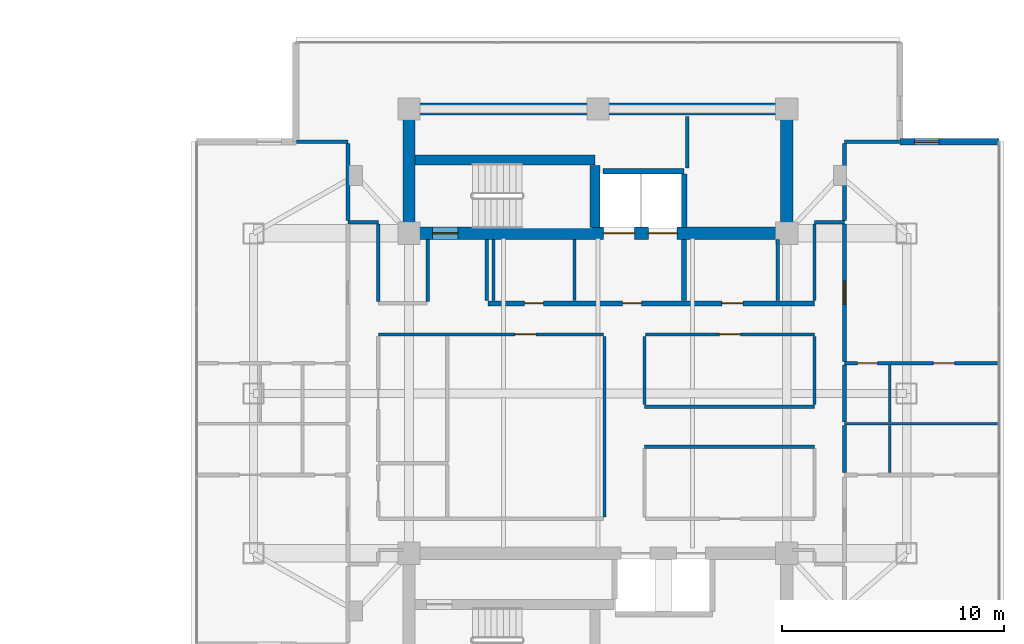
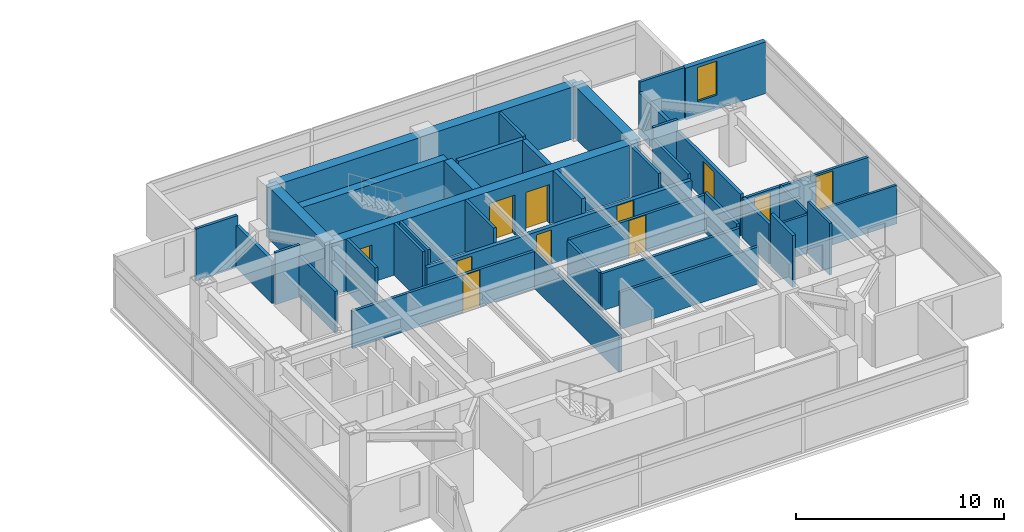
# One storey, part 18 of 25: 39 walls, 11 doors, 1 window, 12 openings.
"""IFC4 building model written with IfcOpenShell, lengths in metres."""

import ifcopenshell
import ifcopenshell.guid

model = None  # the IFC model being written
_history = None  # IfcOwnerHistory: only IFC2X3 demands one
_inside = {}  # id of a spatial element -> (the spatial element, [elements in it])
_under = {}  # id of a project, library or spatial element -> (it, [spatial elements below it])
_declared = {}  # id of a project -> (the project, [libraries it declares])
_typed = {}  # id of a type object -> (the type object, [elements of that type])
_made_of = {}  # id of a material, layer set ... -> (it, [elements and type objects made of it])


def new_model(schema):
    """Start an empty IFC model of exactly this schema.

    Asked for "IFC4X3", IfcOpenShell would pick the latest addendum, in which some entities
    have other attributes; the version numbers below select the first issue.
    IFC2X3 requires an IfcOwnerHistory on every rooted entity: one is made here for all.
    """
    global model, _history
    if schema == "IFC4X3":
        model = ifcopenshell.file(schema_version=(4, 3, 0, 0))
    else:
        model = ifcopenshell.file(schema=schema)
    _inside.clear()
    _under.clear()
    _declared.clear()
    _typed.clear()
    _made_of.clear()
    _history = None
    if model.schema == "IFC2X3":
        org = make("IfcOrganization", Name="unknown")
        user = make(
            "IfcPersonAndOrganization",
            ThePerson=make("IfcPerson", FamilyName="unknown"),
            TheOrganization=org,
        )
        app = make(
            "IfcApplication",
            ApplicationDeveloper=org,
            Version="unknown",
            ApplicationFullName="unknown",
            ApplicationIdentifier="unknown",
        )
        _history = make(
            "IfcOwnerHistory",
            OwningUser=user,
            OwningApplication=app,
            ChangeAction="ADDED",
            CreationDate=0,
        )
    return model


def make(cls, **values):
    """One entity of the class cls with the attributes given. An attribute that is None is left unset."""
    return model.create_entity(
        cls, **{name: value for name, value in values.items() if value is not None}
    )


def rooted(cls, **values):
    """An entity with a GlobalId (a new one), such as an element, a storey or a relation."""
    return make(cls, GlobalId=ifcopenshell.guid.new(), OwnerHistory=_history, **values)


def si_unit(unit_type, name, prefix=None):
    """IfcSIUnit, for example si_unit("LENGTHUNIT", "METRE", prefix="MILLI")."""
    return make("IfcSIUnit", UnitType=unit_type, Prefix=prefix, Name=name)


def assignment(units):
    """IfcUnitAssignment: the units of a project."""
    return None if units is None else make("IfcUnitAssignment", Units=units)


def point(xyz):
    """IfcCartesianPoint."""
    return None if xyz is None else make("IfcCartesianPoint", Coordinates=xyz)


def direction(xyz):
    """IfcDirection."""
    return None if xyz is None else make("IfcDirection", DirectionRatios=xyz)


def frame(location, z_axis=None, x_axis=None):
    """IfcAxis2Placement3D, a coordinate frame: its origin and axes. An axis left out is left unset."""
    return make(
        "IfcAxis2Placement3D",
        Location=point(location),
        Axis=direction(z_axis),
        RefDirection=direction(x_axis),
    )


def frame_2d(location, x_axis=None):
    """IfcAxis2Placement2D, a coordinate frame in the plane: its origin and x axis."""
    return make(
        "IfcAxis2Placement2D", Location=point(location), RefDirection=direction(x_axis)
    )


def origin():
    """The frame at (0, 0, 0) with its axes left unset."""
    return frame((0.0, 0.0, 0.0))


def place(relative_to, where):
    """IfcLocalPlacement: puts the frame where relative to a parent placement (None: the world)."""
    return make(
        "IfcLocalPlacement", PlacementRelTo=relative_to, RelativePlacement=where
    )


def context(
    kind, dimensions, precision=None, world=None, true_north=None, identifier=None
):
    """IfcGeometricRepresentationContext, for example the 3D "Model" context."""
    return make(
        "IfcGeometricRepresentationContext",
        ContextIdentifier=identifier,
        ContextType=kind,
        CoordinateSpaceDimension=dimensions,
        Precision=precision,
        WorldCoordinateSystem=world,
        TrueNorth=true_north,
    )


def subcontext(parent, identifier, kind, view, scale=None):
    """IfcGeometricRepresentationSubContext, for example "Body" below "Model"."""
    return make(
        "IfcGeometricRepresentationSubContext",
        ContextIdentifier=identifier,
        ContextType=kind,
        ParentContext=parent,
        TargetScale=scale,
        TargetView=view,
    )


def project(units=None, contexts=None):
    """IfcProject with its units and contexts."""
    return rooted(
        "IfcProject",
        Name="project",
        RepresentationContexts=contexts,
        UnitsInContext=assignment(units),
    )


def spatial(cls, under=None, at=None, **own):
    """A site, building, storey or space (cls), placed at a placement, below another one or the project."""
    s = rooted(cls, ObjectPlacement=at, **own)
    if under is not None:
        _under.setdefault(under.id(), (under, []))[1].append(s)
    return s


def profile(cls, at=None, kind="AREA", **sizes):
    """A parametric profile (cls). Its sizes go by their IFC names, for example OverallWidth=200.0."""
    return make(cls, ProfileType=kind, Position=at, **sizes)


def rectangle(**sizes):
    """IfcRectangleProfileDef."""
    return profile("IfcRectangleProfileDef", **sizes)


def extrude(swept, where, along, depth):
    """IfcExtrudedAreaSolid: the profile swept, set in the frame where, extruded along a direction by depth."""
    return make(
        "IfcExtrudedAreaSolid",
        SweptArea=swept,
        Position=where,
        ExtrudedDirection=direction(along),
        Depth=depth,
    )


def shape(context_of_items, identifier, shape_type, items):
    """IfcShapeRepresentation: the items that make up one representation, for example the "Body"."""
    return make(
        "IfcShapeRepresentation",
        ContextOfItems=context_of_items,
        RepresentationIdentifier=identifier,
        RepresentationType=shape_type,
        Items=items,
    )


def material(Name=None, Category=None):
    """IfcMaterial."""
    return make("IfcMaterial", Name=Name, Category=Category)


def layer(
    of_material, thickness, ventilated=None, Name=None, Category=None, Priority=None
):
    """IfcMaterialLayer: one layer of a wall or slab, of a material (None: an air gap)."""
    return make(
        "IfcMaterialLayer",
        Material=of_material,
        LayerThickness=thickness,
        IsVentilated=ventilated,
        Name=Name,
        Category=Category,
        Priority=Priority,
    )


def layer_set(layers, Name=None):
    """IfcMaterialLayerSet."""
    return make("IfcMaterialLayerSet", MaterialLayers=layers, LayerSetName=Name)


def made_of(thing, what):
    """Note that an element or type object is made of a material, layer set ...; save() writes the relation."""
    if what is not None:
        _made_of.setdefault(what.id(), (what, []))[1].append(thing)
    return thing


def type_object(cls, material=None, **own):
    """A type object (cls), such as IfcWallType, which elements share."""
    return made_of(rooted(cls, **own), material)


def element(
    cls,
    number,
    at=None,
    inside=None,
    cuts=None,
    type_object=None,
    material=None,
    context=None,
    identifier="Body",
    shape_type=None,
    held_by="IfcProductDefinitionShape",
    body=None,
    shapes=None,
    **own,
):
    """One element of the class cls, such as IfcWall. Its Tag is "e" and its number.

    at: its placement. inside: the storey or other place that contains it. cuts: it is an
    opening in that element (IfcRelVoidsElement). A single representation is given by context,
    identifier, shape_type and body (its items); several are given by shapes. held_by: the class
    of the entity that holds the representations. save() writes the other relations.
    """
    e = rooted(cls, Tag="e%d" % number, ObjectPlacement=at, **own)
    if body is not None:
        shapes = [shape(context, identifier, shape_type, body)]
    if shapes is not None:
        e.Representation = make(held_by, Representations=shapes)
    if inside is not None:
        _inside.setdefault(inside.id(), (inside, []))[1].append(e)
    if cuts is not None:
        rooted(
            "IfcRelVoidsElement", RelatingBuildingElement=cuts, RelatedOpeningElement=e
        )
    if type_object is not None:
        _typed.setdefault(type_object.id(), (type_object, []))[1].append(e)
    return made_of(e, material)


def fill(opening, filler):
    """IfcRelFillsElement: the door or window that sits in an opening."""
    return rooted(
        "IfcRelFillsElement",
        RelatingOpeningElement=opening,
        RelatedBuildingElement=filler,
    )


def aggregate(whole, parts):
    """IfcRelAggregates: a whole, such as a stair, and the parts it consists of."""
    return rooted("IfcRelAggregates", RelatingObject=whole, RelatedObjects=parts)


def save(model, path):
    """Write the relations noted so far, then the file.

    IfcRelAggregates (storeys below a building ...), IfcRelContainedInSpatialStructure (elements
    in a storey), IfcRelDefinesByType, IfcRelAssociatesMaterial and IfcRelDeclares: one each for
    every whole, place, type object, material and project.
    """
    for whole, parts in _under.values():
        aggregate(whole, parts)
    for where, things in _inside.values():
        rooted(
            "IfcRelContainedInSpatialStructure",
            RelatedElements=things,
            RelatingStructure=where,
        )
    for kind, things in _typed.values():
        rooted("IfcRelDefinesByType", RelatedObjects=things, RelatingType=kind)
    for what, things in _made_of.values():
        rooted("IfcRelAssociatesMaterial", RelatedObjects=things, RelatingMaterial=what)
    for by, libraries in _declared.values():
        rooted("IfcRelDeclares", RelatingContext=by, RelatedDefinitions=libraries)
    model.write(path)


model = new_model("IFC4")

# Units and contexts
model_context = context("Model", 3, precision=1e-05, world=origin(), true_north=direction((0.0, 1.0)))
body_context = subcontext(model_context, "Body", "Model", "MODEL_VIEW")
ifc_project = project(units=[si_unit("LENGTHUNIT", "METRE"), si_unit("AREAUNIT", "SQUARE_METRE"), si_unit("VOLUMEUNIT", "CUBIC_METRE"), si_unit("PLANEANGLEUNIT", "RADIAN"), si_unit("MASSUNIT", "GRAM", prefix="KILO")], contexts=[model_context])

# Site, building, storey
site_placement = place(None, origin())
site = spatial("IfcSite", under=ifc_project, at=site_placement, CompositionType="ELEMENT")
building_placement = place(site_placement, origin())
building = spatial("IfcBuilding", under=site, at=building_placement, Name="Mirazonda Arch Towers", CompositionType="ELEMENT")
storey_placement = place(building_placement, frame((0.0, 0.0, 173.89990234375)))
storey = spatial("IfcBuildingStorey", under=building, at=storey_placement, Name="L49", CompositionType="ELEMENT", Elevation=173.89990234375)

# Walls
ifc_material_1 = material(Name="Concrete C50/60", Category="concrete")
ifc_layer_1 = layer(ifc_material_1, 0.449951171875, Name="WALL-CORE-450")
ifc_layer_set_1 = layer_set([ifc_layer_1], Name="Concrete C50/60")
wall_type_1 = type_object("IfcWallType", Name="WALL-CORE-450", PredefinedType="SHEAR", material=ifc_layer_set_1)
wall_1_placement = place(storey_placement, frame((68.27001953125, 38.5, 0.0), z_axis=(0.0, 0.0, 1.0), x_axis=(1.0, 0.0, 0.0)))
element("IfcWall", 1, at=wall_1_placement, inside=storey, type_object=wall_type_1, Name="L49 Stair Core Shear Wall 056", PredefinedType="SHEAR", context=body_context, shape_type="SweptSolid", body=[
    extrude(rectangle(XDim=8.090087890625, YDim=0.449951171875, at=frame_2d((4.044921875, 0.0))), origin(), (0.0, 0.0, 1.0), 3.050048828125),
])
wall_2_placement = place(storey_placement, frame((76.360107421875, 35.469970703125, 0.0), z_axis=(0.0, 0.0, 1.0), x_axis=(0.0, 1.0, 0.0)))
element("IfcWall", 2, at=wall_2_placement, inside=storey, type_object=wall_type_1, Name="L49 Stair Core Shear Wall 155", PredefinedType="SHEAR", context=body_context, shape_type="SweptSolid", body=[
    extrude(rectangle(XDim=2.794921875, YDim=0.449951171875, at=frame_2d((1.3974609375, 0.0))), origin(), (0.0, 0.0, 1.0), 3.050048828125),
])
ifc_layer_2 = layer(ifc_material_1, 0.550048828125, Name="WALL-CORE-550")
ifc_layer_set_2 = layer_set([ifc_layer_2], Name="Concrete C50/60")
wall_type_2 = type_object("IfcWallType", Name="WALL-CORE-550", PredefinedType="SHEAR", material=ifc_layer_set_2)
wall_3_placement = place(storey_placement, frame((68.0, 40.800048828125, 0.0), z_axis=(0.0, 0.0, 1.0), x_axis=(1.0, 0.0, 0.0)))
element("IfcWall", 3, at=wall_3_placement, inside=storey, type_object=wall_type_2, Name="L49 T2N-N Core Shear Wall", PredefinedType="SHEAR", context=body_context, shape_type="SweptSolid", body=[
    extrude(rectangle(XDim=17.0, YDim=0.550048828125, at=frame_2d((8.5, 0.0))), origin(), (0.0, 0.0, 1.0), 3.050048828125),
])
for number, where, z_axis, x_axis, name in (
    (4, (68.0, 35.199951171875, 0.0), (0.0, 0.0, 1.0), (0.0, 1.0, 0.0), "L49 T2N-W Core Shear Wall"),
    (5, (85.0, 35.199951171875, 0.0), (0.0, 0.0, 1.0), (0.0, 1.0, 0.0), "L49 T2N-E Core Shear Wall"),
):
    element("IfcWall", number, at=place(storey_placement, frame(where, z_axis=z_axis, x_axis=x_axis)), inside=storey, type_object=wall_type_2, Name=name, PredefinedType="SHEAR", context=body_context, shape_type="SweptSolid", body=[
        extrude(rectangle(XDim=5.60009765625, YDim=0.550048828125, at=frame_2d((2.800048828125, 0.0))), origin(), (0.0, 0.0, 1.0), 3.050048828125),
    ])

# Wall, openings, doors
wall_4_placement = place(storey_placement, frame((68.0, 35.199951171875, 0.0), z_axis=(0.0, 0.0, 1.0), x_axis=(1.0, 0.0, 0.0)))
wall_4 = element("IfcWall", 6, at=wall_4_placement, inside=storey, type_object=wall_type_2, Name="L49 T2N-S Core Shear Wall", PredefinedType="SHEAR", context=body_context, shape_type="SweptSolid", body=[
    extrude(rectangle(XDim=17.0, YDim=0.550048828125, at=frame_2d((8.5, 0.0))), origin(), (0.0, 0.0, 1.0), 3.050048828125),
])
opening_1_placement = place(wall_4_placement, frame((1.06005859375, 0.0, 0.0)))
opening_1 = element("IfcOpeningElement", 7, at=opening_1_placement, cuts=wall_4, Name="Opening DR-135", PredefinedType="OPENING", context=body_context, shape_type="SweptSolid", body=[
    extrude(rectangle(XDim=1.14990234375, YDim=2.199951171875, at=frame_2d((0.574951171875, 1.10009765625))), frame((0.0, 0.284912109375, 0.0), z_axis=(0.0, -1.0, 0.0), x_axis=(1.0, 0.0, 0.0)), (0.0, 0.0, 1.0), 0.570068359375),
])
opening_2_placement = place(wall_4_placement, frame((8.75, 0.0, 0.0)))
opening_2 = element("IfcOpeningElement", 8, at=opening_2_placement, cuts=wall_4, Name="Opening LD-112", PredefinedType="OPENING", context=body_context, shape_type="SweptSolid", body=[
    extrude(rectangle(XDim=1.39990234375, YDim=2.35009765625, at=frame_2d((0.699951171875, 1.175048828125))), frame((0.0, 0.284912109375, 0.0), z_axis=(0.0, -1.0, 0.0), x_axis=(1.0, 0.0, 0.0)), (0.0, 0.0, 1.0), 0.570068359375),
])
opening_3_placement = place(wall_4_placement, frame((10.77001953125, 0.0, 0.0)))
opening_3 = element("IfcOpeningElement", 9, at=opening_3_placement, cuts=wall_4, Name="Opening LD-111", PredefinedType="OPENING", context=body_context, shape_type="SweptSolid", body=[
    extrude(rectangle(XDim=1.300048828125, YDim=2.300048828125, at=frame_2d((0.64990234375, 1.14990234375))), frame((0.0, 0.284912109375, 0.0), z_axis=(0.0, -1.0, 0.0), x_axis=(1.0, 0.0, 0.0)), (0.0, 0.0, 1.0), 0.570068359375),
])
ifc_material_2 = material(Name="Architectural Brushed Steel S355", Category="steel")
door_type_1 = type_object("IfcDoorType", Name="DOOR-LIFT-FFL-1400", OperationType="NOTDEFINED", PredefinedType="DOOR", material=ifc_material_2)
door_1_placement = place(opening_2_placement, origin())
door_1 = element("IfcDoor", 10, at=door_1_placement, inside=storey, type_object=door_type_1, Name="L49 Lift Landing Sliding Door FFL-T2", OperationType="DOUBLE_DOOR_SLIDING", OverallHeight=2.35009765625, OverallWidth=1.39990234375, PredefinedType="DOOR", context=body_context, shape_type="SweptSolid", body=[
    extrude(rectangle(XDim=1.39990234375, YDim=2.35009765625, at=frame_2d((0.699951171875, 1.175048828125))), frame((0.0, 0.02490234375, 0.0), z_axis=(0.0, -1.0, 0.0), x_axis=(1.0, 0.0, 0.0)), (0.0, 0.0, 1.0), 0.050048828125),
])
fill(opening_2, door_1)
door_type_2 = type_object("IfcDoorType", Name="DOOR-LIFT-LAND-1300", OperationType="NOTDEFINED", PredefinedType="DOOR", material=ifc_material_2)
door_2_placement = place(opening_3_placement, origin())
door_2 = element("IfcDoor", 11, at=door_2_placement, inside=storey, type_object=door_type_2, Name="L49 Lift Landing Sliding Door SVL-T2", OperationType="DOUBLE_DOOR_SLIDING", OverallHeight=2.300048828125, OverallWidth=1.300048828125, PredefinedType="DOOR", context=body_context, shape_type="SweptSolid", body=[
    extrude(rectangle(XDim=1.300048828125, YDim=2.300048828125, at=frame_2d((0.64990234375, 1.14990234375))), frame((0.0, 0.02490234375, 0.0), z_axis=(0.0, -1.0, 0.0), x_axis=(1.0, 0.0, 0.0)), (0.0, 0.0, 1.0), 0.050048828125),
])
fill(opening_3, door_2)
door_type_3 = type_object("IfcDoorType", Name="DOOR-STAIR-FD90-1150", OperationType="NOTDEFINED", PredefinedType="DOOR", material=ifc_material_2)
door_3_placement = place(opening_1_placement, origin())
door_3 = element("IfcDoor", 12, at=door_3_placement, inside=storey, type_object=door_type_3, Name="L49 East Protected Stair North Door", OperationType="SINGLE_SWING_RIGHT", OverallHeight=2.199951171875, OverallWidth=1.14990234375, PredefinedType="DOOR", context=body_context, shape_type="SweptSolid", body=[
    extrude(rectangle(XDim=1.14990234375, YDim=2.199951171875, at=frame_2d((0.574951171875, 1.10009765625))), frame((0.0, 0.02490234375, 0.0), z_axis=(0.0, -1.0, 0.0), x_axis=(1.0, 0.0, 0.0)), (0.0, 0.0, 1.0), 0.050048828125),
])
fill(opening_1, door_3)

# Wall, opening, window
ifc_material_3 = material(Name="Precast Concrete C40/50", Category="concrete")
ifc_layer_3 = layer(ifc_material_3, 0.280029296875, Name="WALL-EXT-WALL-280")
ifc_layer_set_3 = layer_set([ifc_layer_3], Name="Precast Concrete C40/50")
wall_type_3 = type_object("IfcWallType", Name="WALL-EXT-WALL-280", PredefinedType="SOLIDWALL", material=ifc_layer_set_3)
wall_5_placement = place(storey_placement, frame((94.560546875, 39.326171875, 0.0), z_axis=(0.0, 0.0, 1.0), x_axis=(-1.0, 0.0, 0.0)))
wall_5 = element("IfcWall", 13, at=wall_5_placement, inside=storey, type_object=wall_type_3, Name="L49 T2 Corner Notch Return Wall WL-L49-T2-CNE2", PredefinedType="SOLIDWALL", context=body_context, shape_type="SweptSolid", body=[
    extrude(rectangle(XDim=4.46533203125, YDim=0.280029296875, at=frame_2d((2.232666015625, 0.0))), origin(), (0.0, 0.0, 1.0), 3.030029296875),
])
opening_4_placement = place(wall_5_placement, frame((2.715087890625, 0.0, 0.85009765625)))
opening_4 = element("IfcOpeningElement", 14, at=opening_4_placement, cuts=wall_5, Name="Opening WN-108", PredefinedType="OPENING", context=body_context, shape_type="SweptSolid", body=[
    extrude(rectangle(XDim=1.10009765625, YDim=2.0, at=frame_2d((0.550048828125, 1.0))), frame((0.0, 0.14990234375, 0.0), z_axis=(0.0, -1.0, 0.0), x_axis=(1.0, 0.0, 0.0)), (0.0, 0.0, 1.0), 0.300048828125),
])
ifc_material_4 = material(Name="Insulated Low-E Solar Glass", Category="glass")
window_type = type_object("IfcWindowType", Name="WIN-NOTCH-1100x2000", PartitioningType="SINGLE_PANEL", PredefinedType="WINDOW", material=ifc_material_4)
window_placement = place(opening_4_placement, origin())
window = element("IfcWindow", 15, at=window_placement, inside=storey, type_object=window_type, Name="L49 Punched Facade Window WN-L49-T2-CNE2", OverallHeight=2.0, OverallWidth=1.10009765625, PartitioningType="SINGLE_PANEL", PredefinedType="WINDOW", context=body_context, shape_type="SweptSolid", body=[
    extrude(rectangle(XDim=1.10009765625, YDim=2.0, at=frame_2d((0.550048828125, 1.0))), frame((0.0, 0.030029296875, 0.0), z_axis=(0.0, -1.0, 0.0), x_axis=(1.0, 0.0, 0.0)), (0.0, 0.0, 1.0), 0.06005859375),
])
fill(opening_4, window)

# Wall, openings, doors
ifc_material_5 = material(Name="Concrete C40/50", Category="concrete")
ifc_layer_4 = layer(ifc_material_5, 0.219970703125, Name="WALL-FFL-220")
ifc_layer_set_4 = layer_set([ifc_layer_4], Name="Concrete C40/50")
wall_type_4 = type_object("IfcWallType", Name="WALL-FFL-220", PredefinedType="SOLIDWALL", material=ifc_layer_set_4)
wall_6_placement = place(storey_placement, frame((71.550048828125, 32.050048828125, 0.0), z_axis=(0.0, 0.0, 1.0), x_axis=(1.0, 0.0, 0.0)))
wall_6 = element("IfcWall", 16, at=wall_6_placement, inside=storey, type_object=wall_type_4, Name="L49 Interior Partition 045", PredefinedType="SOLIDWALL", context=body_context, shape_type="SweptSolid", body=[
    extrude(rectangle(XDim=14.699951171875, YDim=0.219970703125, at=frame_2d((7.35009765625, 0.0))), origin(), (0.0, 0.0, 1.0), 2.18603515625),
])
opening_5_placement = place(wall_6_placement, frame((6.06494140625, 0.0, 0.0)))
opening_5 = element("IfcOpeningElement", 17, at=opening_5_placement, cuts=wall_6, Name="Opening DR-128", PredefinedType="OPENING", context=body_context, shape_type="SweptSolid", body=[
    extrude(rectangle(XDim=0.85009765625, YDim=2.010009765625, at=frame_2d((0.425048828125, 1.0048828125))), frame((0.0, 0.119873046875, 0.0), z_axis=(0.0, -1.0, 0.0), x_axis=(1.0, 0.0, 0.0)), (0.0, 0.0, 1.0), 0.239990234375),
])
opening_6_placement = place(wall_6_placement, frame((10.534912109375, 0.0, 0.0)))
opening_6 = element("IfcOpeningElement", 18, at=opening_6_placement, cuts=wall_6, Name="Opening DR-104", PredefinedType="OPENING", context=body_context, shape_type="SweptSolid", body=[
    extrude(rectangle(XDim=0.949951171875, YDim=2.14990234375, at=frame_2d((0.47509765625, 1.074951171875))), frame((0.0, 0.119873046875, 0.0), z_axis=(0.0, -1.0, 0.0), x_axis=(1.0, 0.0, 0.0)), (0.0, 0.0, 1.0), 0.239990234375),
])
opening_7_placement = place(wall_6_placement, frame((1.64990234375, 0.0, 0.0)))
opening_7 = element("IfcOpeningElement", 19, at=opening_7_placement, cuts=wall_6, Name="Opening DR-128", PredefinedType="OPENING", context=body_context, shape_type="SweptSolid", body=[
    extrude(rectangle(XDim=0.85009765625, YDim=2.010009765625, at=frame_2d((0.425048828125, 1.0048828125))), frame((0.0, 0.119873046875, 0.0), z_axis=(0.0, -1.0, 0.0), x_axis=(1.0, 0.0, 0.0)), (0.0, 0.0, 1.0), 0.239990234375),
])
door_type_4 = type_object("IfcDoorType", Name="DOOR-RISER-FD60-850", OperationType="NOTDEFINED", PredefinedType="DOOR", material=ifc_material_2)
door_4_placement = place(opening_5_placement, origin())
door_4 = element("IfcDoor", 20, at=door_4_placement, inside=storey, type_object=door_type_4, Name="L49 East Firefighting Lift Lobby Door", OperationType="SINGLE_SWING_LEFT", OverallHeight=2.010009765625, OverallWidth=0.85009765625, PredefinedType="DOOR", context=body_context, shape_type="SweptSolid", body=[
    extrude(rectangle(XDim=0.85009765625, YDim=2.010009765625, at=frame_2d((0.425048828125, 1.0048828125))), frame((0.0, 0.02490234375, 0.0), z_axis=(0.0, -1.0, 0.0), x_axis=(1.0, 0.0, 0.0)), (0.0, 0.0, 1.0), 0.050048828125),
])
fill(opening_5, door_4)
door_5_placement = place(opening_7_placement, origin())
door_5 = element("IfcDoor", 21, at=door_5_placement, inside=storey, type_object=door_type_4, Name="L49 Tower 2 Housekeeping & Linen Room Door", OperationType="SINGLE_SWING_LEFT", OverallHeight=2.010009765625, OverallWidth=0.85009765625, PredefinedType="DOOR", context=body_context, shape_type="SweptSolid", body=[
    extrude(rectangle(XDim=0.85009765625, YDim=2.010009765625, at=frame_2d((0.425048828125, 1.0048828125))), frame((0.0, 0.02490234375, 0.0), z_axis=(0.0, -1.0, 0.0), x_axis=(1.0, 0.0, 0.0)), (0.0, 0.0, 1.0), 0.050048828125),
])
fill(opening_7, door_5)
door_type_5 = type_object("IfcDoorType", Name="DOOR-ROOM-950", OperationType="NOTDEFINED", PredefinedType="DOOR", material=ifc_material_2)
door_6_placement = place(opening_6_placement, origin())
door_6 = element("IfcDoor", 22, at=door_6_placement, inside=storey, type_object=door_type_5, Name="L49 East Sky Reading Library Door", OperationType="SINGLE_SWING_RIGHT", OverallHeight=2.14990234375, OverallWidth=0.949951171875, PredefinedType="DOOR", context=body_context, shape_type="SweptSolid", body=[
    extrude(rectangle(XDim=0.949951171875, YDim=2.14990234375, at=frame_2d((0.47509765625, 1.074951171875))), frame((0.0, 0.02490234375, 0.0), z_axis=(0.0, -1.0, 0.0), x_axis=(1.0, 0.0, 0.0)), (0.0, 0.0, 1.0), 0.050048828125),
])
fill(opening_6, door_6)

# Walls
wall_7_placement = place(storey_placement, frame((80.3798828125, 32.169921875, 0.0), z_axis=(0.0, 0.0, 1.0), x_axis=(0.0, 1.0, 0.0)))
element("IfcWall", 23, at=wall_7_placement, inside=storey, type_object=wall_type_4, Name="L49 Interior Partition 160", PredefinedType="SOLIDWALL", context=body_context, shape_type="SweptSolid", body=[
    extrude(rectangle(XDim=2.760009765625, YDim=0.219970703125, at=frame_2d((1.3798828125, 0.0))), origin(), (0.0, 0.0, 1.0), 3.050048828125),
])
ifc_material_6 = material(Name="Fire-Rated Gypsum Stud Partition")
ifc_layer_5 = layer(ifc_material_6, 0.14990234375, Name="WALL-PART-CORR-150")
ifc_layer_set_5 = layer_set([ifc_layer_5], Name="Fire-Rated Gypsum Stud Partition")
wall_type_5 = type_object("IfcWallType", Name="WALL-PART-CORR-150", PredefinedType="PARTITIONING", material=ifc_layer_set_5)
for number, where, z_axis, x_axis, name in (
    (24, (78.60009765625, 25.60009765625, 0.0), (0.0, 0.0, 1.0), (1.0, 0.0, 0.0), "L49 Interior Partition 031"),
    (25, (78.60009765625, 27.39990234375, 0.0), (0.0, 0.0, 1.0), (1.0, 0.0, 0.0), "L49 Interior Partition 035"),
):
    element("IfcWall", number, at=place(storey_placement, frame(where, z_axis=z_axis, x_axis=x_axis)), inside=storey, type_object=wall_type_5, Name=name, PredefinedType="PARTITIONING", context=body_context, shape_type="SweptSolid", body=[
        extrude(rectangle(XDim=7.64990234375, YDim=0.14990234375, at=frame_2d((3.824951171875, 0.0))), origin(), (0.0, 0.0, 1.0), 2.18603515625),
    ])

# Wall, openings, doors
wall_8_placement = place(storey_placement, frame((87.60009765625, 29.35205078125, 0.0), z_axis=(0.0, 0.0, 1.0), x_axis=(1.0, 0.0, 0.0)))
wall_8 = element("IfcWall", 26, at=wall_8_placement, inside=storey, type_object=wall_type_5, Name="L49 Interior Partition 039", PredefinedType="PARTITIONING", context=body_context, shape_type="SweptSolid", body=[
    extrude(rectangle(XDim=6.9609375, YDim=0.14990234375, at=frame_2d((3.48046875, 0.0))), origin(), (0.0, 0.0, 1.0), 2.26904296875),
])
opening_8_placement = place(wall_8_placement, frame((4.005615234375, 0.0, 0.0)))
opening_8 = element("IfcOpeningElement", 27, at=opening_8_placement, cuts=wall_8, Name="Opening DR-104", PredefinedType="OPENING", context=body_context, shape_type="SweptSolid", body=[
    extrude(rectangle(XDim=0.949951171875, YDim=2.14990234375, at=frame_2d((0.47509765625, 1.074951171875))), frame((0.0, 0.0849609375, 0.0), z_axis=(0.0, -1.0, 0.0), x_axis=(1.0, 0.0, 0.0)), (0.0, 0.0, 1.0), 0.169921875),
])
opening_9_placement = place(wall_8_placement, frame((0.590087890625, 0.0, 0.0)))
opening_9 = element("IfcOpeningElement", 28, at=opening_9_placement, cuts=wall_8, Name="Opening DR-120", PredefinedType="OPENING", context=body_context, shape_type="SweptSolid", body=[
    extrude(rectangle(XDim=0.89990234375, YDim=2.10009765625, at=frame_2d((0.449951171875, 1.050048828125))), frame((0.0, 0.0849609375, 0.0), z_axis=(0.0, -1.0, 0.0), x_axis=(1.0, 0.0, 0.0)), (0.0, 0.0, 1.0), 0.169921875),
])
door_7_placement = place(opening_8_placement, origin())
door_7 = element("IfcDoor", 29, at=door_7_placement, inside=storey, type_object=door_type_5, Name="L49 Studio 2 Galley Kitchen Door", OperationType="SINGLE_SWING_LEFT", OverallHeight=2.14990234375, OverallWidth=0.949951171875, PredefinedType="DOOR", context=body_context, shape_type="SweptSolid", body=[
    extrude(rectangle(XDim=0.949951171875, YDim=2.14990234375, at=frame_2d((0.47509765625, 1.074951171875))), frame((0.0, 0.02490234375, 0.0), z_axis=(0.0, -1.0, 0.0), x_axis=(1.0, 0.0, 0.0)), (0.0, 0.0, 1.0), 0.050048828125),
])
fill(opening_8, door_7)
door_type_6 = type_object("IfcDoorType", Name="DOOR-WC-900", OperationType="NOTDEFINED", PredefinedType="DOOR", material=ifc_material_2)
door_8_placement = place(opening_9_placement, origin())
door_8 = element("IfcDoor", 30, at=door_8_placement, inside=storey, type_object=door_type_6, Name="L49 Studio 2 Bathroom Door", OperationType="SINGLE_SWING_RIGHT", OverallHeight=2.10009765625, OverallWidth=0.89990234375, PredefinedType="DOOR", context=body_context, shape_type="SweptSolid", body=[
    extrude(rectangle(XDim=0.89990234375, YDim=2.10009765625, at=frame_2d((0.449951171875, 1.050048828125))), frame((0.0, 0.02490234375, 0.0), z_axis=(0.0, -1.0, 0.0), x_axis=(1.0, 0.0, 0.0)), (0.0, 0.0, 1.0), 0.050048828125),
])
fill(opening_9, door_8)

# Wall, opening, door
wall_9_placement = place(storey_placement, frame((66.6201171875, 30.64990234375, 0.0), z_axis=(0.0, 0.0, 1.0), x_axis=(1.0, 0.0, 0.0)))
wall_9 = element("IfcWall", 31, at=wall_9_placement, inside=storey, type_object=wall_type_5, Name="L49 Interior Partition 042", PredefinedType="PARTITIONING", context=body_context, shape_type="SweptSolid", body=[
    extrude(rectangle(XDim=10.139892578125, YDim=0.14990234375, at=frame_2d((5.06982421875, 0.0))), origin(), (0.0, 0.0, 1.0), 2.18603515625),
])
opening_10_placement = place(wall_9_placement, frame((6.139892578125, 0.0, 0.0)))
opening_10 = element("IfcOpeningElement", 32, at=opening_10_placement, cuts=wall_9, Name="Opening DR-104", PredefinedType="OPENING", context=body_context, shape_type="SweptSolid", body=[
    extrude(rectangle(XDim=0.949951171875, YDim=2.14990234375, at=frame_2d((0.47509765625, 1.074951171875))), frame((0.0, 0.0849609375, 0.0), z_axis=(0.0, -1.0, 0.0), x_axis=(1.0, 0.0, 0.0)), (0.0, 0.0, 1.0), 0.169921875),
])
door_9_placement = place(opening_10_placement, origin())
door_9 = element("IfcDoor", 33, at=door_9_placement, inside=storey, type_object=door_type_5, Name="L49 L49 East Courtyard Study Door", OperationType="SINGLE_SWING_RIGHT", OverallHeight=2.14990234375, OverallWidth=0.949951171875, PredefinedType="DOOR", context=body_context, shape_type="SweptSolid", body=[
    extrude(rectangle(XDim=0.949951171875, YDim=2.14990234375, at=frame_2d((0.47509765625, 1.074951171875))), frame((0.0, 0.02490234375, 0.0), z_axis=(0.0, -1.0, 0.0), x_axis=(1.0, 0.0, 0.0)), (0.0, 0.0, 1.0), 0.050048828125),
])
fill(opening_10, door_9)

wall_10_placement = place(storey_placement, frame((78.639892578125, 30.64990234375, 0.0), z_axis=(0.0, 0.0, 1.0), x_axis=(1.0, 0.0, 0.0)))
wall_10 = element("IfcWall", 34, at=wall_10_placement, inside=storey, type_object=wall_type_5, Name="L49 Interior Partition 043", PredefinedType="PARTITIONING", context=body_context, shape_type="SweptSolid", body=[
    extrude(rectangle(XDim=7.610107421875, YDim=0.14990234375, at=frame_2d((3.80517578125, 0.0))), origin(), (0.0, 0.0, 1.0), 2.18603515625),
])
opening_11_placement = place(wall_10_placement, frame((3.330078125, 0.0, 0.0)))
opening_11 = element("IfcOpeningElement", 35, at=opening_11_placement, cuts=wall_10, Name="Opening DR-104", PredefinedType="OPENING", context=body_context, shape_type="SweptSolid", body=[
    extrude(rectangle(XDim=0.949951171875, YDim=2.14990234375, at=frame_2d((0.47509765625, 1.074951171875))), frame((0.0, 0.0849609375, 0.0), z_axis=(0.0, -1.0, 0.0), x_axis=(1.0, 0.0, 0.0)), (0.0, 0.0, 1.0), 0.169921875),
])
door_10_placement = place(opening_11_placement, origin())
door_10 = element("IfcDoor", 36, at=door_10_placement, inside=storey, type_object=door_type_5, Name="L49 L49 Tower 2 North-East Study Door", OperationType="SINGLE_SWING_RIGHT", OverallHeight=2.14990234375, OverallWidth=0.949951171875, PredefinedType="DOOR", context=body_context, shape_type="SweptSolid", body=[
    extrude(rectangle(XDim=0.949951171875, YDim=2.14990234375, at=frame_2d((0.47509765625, 1.074951171875))), frame((0.0, 0.02490234375, 0.0), z_axis=(0.0, -1.0, 0.0), x_axis=(1.0, 0.0, 0.0)), (0.0, 0.0, 1.0), 0.050048828125),
])
fill(opening_11, door_10)

# Walls
wall_11_placement = place(storey_placement, frame((65.25, 35.699951171875, 0.0), z_axis=(0.0, 0.0, 1.0), x_axis=(1.0, 0.0, 0.0)))
element("IfcWall", 37, at=wall_11_placement, inside=storey, type_object=wall_type_5, Name="L49 Interior Partition 051", PredefinedType="PARTITIONING", context=body_context, shape_type="SweptSolid", body=[
    extrude(rectangle(XDim=1.3701171875, YDim=0.14990234375, at=frame_2d((0.68505859375, 0.0))), origin(), (0.0, 0.0, 1.0), 3.050048828125),
])
wall_12_placement = place(storey_placement, frame((86.25, 35.699951171875, 0.0), z_axis=(0.0, 0.0, 1.0), x_axis=(1.0, 0.0, 0.0)))
element("IfcWall", 38, at=wall_12_placement, inside=storey, type_object=wall_type_5, Name="L49 Interior Partition 052", PredefinedType="PARTITIONING", context=body_context, shape_type="SweptSolid", body=[
    extrude(rectangle(XDim=1.35009765625, YDim=0.14990234375, at=frame_2d((0.675048828125, 0.0))), origin(), (0.0, 0.0, 1.0), 3.050048828125),
])
wall_13_placement = place(storey_placement, frame((62.9248046875, 39.325927734375, 0.0), z_axis=(0.0, 0.0, 1.0), x_axis=(1.0, 0.0, 0.0)))
element("IfcWall", 39, at=wall_13_placement, inside=storey, type_object=wall_type_5, Name="L49 Interior Partition 057", PredefinedType="PARTITIONING", context=body_context, shape_type="SweptSolid", body=[
    extrude(rectangle(XDim=2.3251953125, YDim=0.14990234375, at=frame_2d((1.16259765625, 0.0))), origin(), (0.0, 0.0, 1.0), 3.050048828125),
])
wall_14_placement = place(storey_placement, frame((87.60009765625, 39.325927734375, 0.0), z_axis=(0.0, 0.0, 1.0), x_axis=(1.0, 0.0, 0.0)))
element("IfcWall", 40, at=wall_14_placement, inside=storey, type_object=wall_type_5, Name="L49 Interior Partition 058", PredefinedType="PARTITIONING", context=body_context, shape_type="SweptSolid", body=[
    extrude(rectangle(XDim=2.47509765625, YDim=0.14990234375, at=frame_2d((1.237548828125, 0.0))), origin(), (0.0, 0.0, 1.0), 3.050048828125),
])
wall_15_placement = place(storey_placement, frame((66.6201171875, 32.135009765625, 0.0), z_axis=(0.0, 0.0, 1.0), x_axis=(0.0, 1.0, 0.0)))
element("IfcWall", 41, at=wall_15_placement, inside=storey, type_object=wall_type_5, Name="L49 Interior Partition 147", PredefinedType="PARTITIONING", context=body_context, shape_type="SweptSolid", body=[
    extrude(rectangle(XDim=3.47998046875, YDim=0.14990234375, at=frame_2d((1.739990234375, 0.0))), origin(), (0.0, 0.0, 1.0), 2.442138671875),
])
wall_16_placement = place(storey_placement, frame((68.85009765625, 32.135009765625, 0.0), z_axis=(0.0, 0.0, 1.0), x_axis=(0.0, 1.0, 0.0)))
element("IfcWall", 42, at=wall_16_placement, inside=storey, type_object=wall_type_5, Name="L49 Interior Partition 148", PredefinedType="PARTITIONING", context=body_context, shape_type="SweptSolid", body=[
    extrude(rectangle(XDim=2.794921875, YDim=0.14990234375, at=frame_2d((1.3974609375, 0.0))), origin(), (0.0, 0.0, 1.0), 3.050048828125),
])
for number, where, z_axis, x_axis, name in (
    (43, (71.5, 32.169921875, 0.0), (0.0, 0.0, 1.0), (0.0, 1.0, 0.0), "L49 Interior Partition 151"),
    (44, (71.800048828125, 32.169921875, 0.0), (0.0, 0.0, 1.0), (0.0, 1.0, 0.0), "L49 Interior Partition 152"),
    (45, (75.449951171875, 32.169921875, 0.0), (0.0, 0.0, 1.0), (0.0, 1.0, 0.0), "L49 Interior Partition 153"),
):
    element("IfcWall", number, at=place(storey_placement, frame(where, z_axis=z_axis, x_axis=x_axis)), inside=storey, type_object=wall_type_5, Name=name, PredefinedType="PARTITIONING", context=body_context, shape_type="SweptSolid", body=[
        extrude(rectangle(XDim=2.760009765625, YDim=0.14990234375, at=frame_2d((1.3798828125, 0.0))), origin(), (0.0, 0.0, 1.0), 3.050048828125),
    ])
wall_17_placement = place(storey_placement, frame((76.800048828125, 22.43505859375, 0.0), z_axis=(0.0, 0.0, 1.0), x_axis=(0.0, 1.0, 0.0)))
element("IfcWall", 46, at=wall_17_placement, inside=storey, type_object=wall_type_5, Name="L49 Interior Partition 156", PredefinedType="PARTITIONING", context=body_context, shape_type="SweptSolid", body=[
    extrude(rectangle(XDim=8.1298828125, YDim=0.14990234375, at=frame_2d((4.06494140625, 0.0))), origin(), (0.0, 0.0, 1.0), 2.18603515625),
])
wall_18_placement = place(storey_placement, frame((78.60009765625, 27.485107421875, 0.0), z_axis=(0.0, 0.0, 1.0), x_axis=(0.0, 1.0, 0.0)))
element("IfcWall", 47, at=wall_18_placement, inside=storey, type_object=wall_type_5, Name="L49 Interior Partition 159", PredefinedType="PARTITIONING", context=body_context, shape_type="SweptSolid", body=[
    extrude(rectangle(XDim=3.079833984375, YDim=0.14990234375, at=frame_2d((1.5400390625, 0.0))), origin(), (0.0, 0.0, 1.0), 2.18603515625),
])
wall_19_placement = place(storey_placement, frame((80.52001953125, 38.135009765625, 0.0), z_axis=(0.0, 0.0, 1.0), x_axis=(0.0, 1.0, 0.0)))
element("IfcWall", 48, at=wall_19_placement, inside=storey, type_object=wall_type_5, Name="L49 Interior Partition 162", PredefinedType="PARTITIONING", context=body_context, shape_type="SweptSolid", body=[
    extrude(rectangle(XDim=2.31494140625, YDim=0.14990234375, at=frame_2d((1.157470703125, 0.0))), origin(), (0.0, 0.0, 1.0), 3.050048828125),
])
wall_20_placement = place(storey_placement, frame((84.60009765625, 32.169921875, 0.0), z_axis=(0.0, 0.0, 1.0), x_axis=(0.0, 1.0, 0.0)))
element("IfcWall", 49, at=wall_20_placement, inside=storey, type_object=wall_type_5, Name="L49 Interior Partition 164", PredefinedType="PARTITIONING", context=body_context, shape_type="SweptSolid", body=[
    extrude(rectangle(XDim=2.760009765625, YDim=0.14990234375, at=frame_2d((1.3798828125, 0.0))), origin(), (0.0, 0.0, 1.0), 3.050048828125),
])
wall_21_placement = place(storey_placement, frame((86.25, 27.485107421875, 0.0), z_axis=(0.0, 0.0, 1.0), x_axis=(0.0, 1.0, 0.0)))
element("IfcWall", 50, at=wall_21_placement, inside=storey, type_object=wall_type_5, Name="L49 Interior Partition 167", PredefinedType="PARTITIONING", context=body_context, shape_type="SweptSolid", body=[
    extrude(rectangle(XDim=3.079833984375, YDim=0.14990234375, at=frame_2d((1.5400390625, 0.0))), origin(), (0.0, 0.0, 1.0), 2.34619140625),
])
wall_22_placement = place(storey_placement, frame((86.25, 32.169921875, 0.0), z_axis=(0.0, 0.0, 1.0), x_axis=(0.0, 1.0, 0.0)))
element("IfcWall", 51, at=wall_22_placement, inside=storey, type_object=wall_type_5, Name="L49 Interior Partition 168", PredefinedType="PARTITIONING", context=body_context, shape_type="SweptSolid", body=[
    extrude(rectangle(XDim=3.445068359375, YDim=0.14990234375, at=frame_2d((1.72265625, 0.0))), origin(), (0.0, 0.0, 1.0), 2.442138671875),
])
ifc_material_7 = material(Name="Fire-Rated Gypsum Twin-Stud Assembly")
ifc_layer_6 = layer(ifc_material_7, 0.179931640625, Name="WALL-PART-DEMISE-180")
ifc_layer_set_6 = layer_set([ifc_layer_6], Name="Fire-Rated Gypsum Twin-Stud Assembly")
wall_type_6 = type_object("IfcWallType", Name="WALL-PART-DEMISE-180", PredefinedType="PARTITIONING", material=ifc_layer_set_6)
wall_23_placement = place(storey_placement, frame((65.25, 35.784912109375, 0.0), z_axis=(0.0, 0.0, 1.0), x_axis=(0.0, 1.0, 0.0)))
element("IfcWall", 52, at=wall_23_placement, inside=storey, type_object=wall_type_6, Name="L49 Interior Partition 143", PredefinedType="PARTITIONING", context=body_context, shape_type="SweptSolid", body=[
    extrude(rectangle(XDim=3.4560546875, YDim=0.179931640625, at=frame_2d((1.72802734375, 0.0))), origin(), (0.0, 0.0, 1.0), 2.4931640625),
])
wall_24_placement = place(storey_placement, frame((87.60009765625, 24.431884765625, 0.0), z_axis=(0.0, 0.0, 1.0), x_axis=(0.0, 1.0, 0.0)))
element("IfcWall", 53, at=wall_24_placement, inside=storey, type_object=wall_type_6, Name="L49 Interior Partition 171", PredefinedType="PARTITIONING", context=body_context, shape_type="SweptSolid", body=[
    extrude(rectangle(XDim=2.127685546875, YDim=0.179931640625, at=frame_2d((1.06396484375, 0.0))), origin(), (0.0, 0.0, 1.0), 3.050048828125),
])
wall_25_placement = place(storey_placement, frame((87.60009765625, 26.70458984375, 0.0), z_axis=(0.0, 0.0, 1.0), x_axis=(0.0, 1.0, 0.0)))
element("IfcWall", 54, at=wall_25_placement, inside=storey, type_object=wall_type_6, Name="L49 Interior Partition 172", PredefinedType="PARTITIONING", context=body_context, shape_type="SweptSolid", body=[
    extrude(rectangle(XDim=2.5625, YDim=0.179931640625, at=frame_2d((1.28125, 0.0))), origin(), (0.0, 0.0, 1.0), 2.34619140625),
])

# Wall, opening, door
wall_26_placement = place(storey_placement, frame((87.60009765625, 29.43701171875, 0.0), z_axis=(0.0, 0.0, 1.0), x_axis=(0.0, 1.0, 0.0)))
wall_26 = element("IfcWall", 55, at=wall_26_placement, inside=storey, type_object=wall_type_6, Name="L49 Interior Partition 173", PredefinedType="PARTITIONING", context=body_context, shape_type="SweptSolid", body=[
    extrude(rectangle(XDim=6.177978515625, YDim=0.179931640625, at=frame_2d((3.0888671875, 0.0))), origin(), (0.0, 0.0, 1.0), 2.442138671875),
])
opening_12_placement = place(wall_26_placement, frame((2.56396484375, 0.0, 0.0)))
opening_12 = element("IfcOpeningElement", 56, at=opening_12_placement, cuts=wall_26, Name="Opening DR-121", PredefinedType="OPENING", context=body_context, shape_type="SweptSolid", body=[
    extrude(rectangle(XDim=1.050048828125, YDim=2.199951171875, at=frame_2d((0.52490234375, 1.10009765625))), frame((0.0, 0.099853515625, 0.0), z_axis=(0.0, -1.0, 0.0), x_axis=(1.0, 0.0, 0.0)), (0.0, 0.0, 1.0), 0.199951171875),
])
door_type_7 = type_object("IfcDoorType", Name="DOOR-SUITE-FD60-1050", OperationType="NOTDEFINED", PredefinedType="DOOR", material=ifc_material_2)
door_11_placement = place(opening_12_placement, origin())
door_11 = element("IfcDoor", 57, at=door_11_placement, inside=storey, type_object=door_type_7, Name="L49 Studio Apartment 2 Living Salon Door", OperationType="SINGLE_SWING_RIGHT", OverallHeight=2.199951171875, OverallWidth=1.050048828125, PredefinedType="DOOR", context=body_context, shape_type="SweptSolid", body=[
    extrude(rectangle(XDim=1.050048828125, YDim=2.199951171875, at=frame_2d((0.52490234375, 1.10009765625))), frame((0.0, 0.02490234375, 0.0), z_axis=(0.0, -1.0, 0.0), x_axis=(1.0, 0.0, 0.0)), (0.0, 0.0, 1.0), 0.050048828125),
])
fill(opening_12, door_11)

# Walls
wall_27_placement = place(storey_placement, frame((87.60009765625, 35.784912109375, 0.0), z_axis=(0.0, 0.0, 1.0), x_axis=(0.0, 1.0, 0.0)))
element("IfcWall", 58, at=wall_27_placement, inside=storey, type_object=wall_type_6, Name="L49 Interior Partition 174", PredefinedType="PARTITIONING", context=body_context, shape_type="SweptSolid", body=[
    extrude(rectangle(XDim=3.4560546875, YDim=0.179931640625, at=frame_2d((1.72802734375, 0.0))), origin(), (0.0, 0.0, 1.0), 2.4931640625),
])
ifc_material_8 = material(Name="Acoustic Fire-Rated Gypsum Partition")
ifc_layer_7 = layer(ifc_material_8, 0.125, Name="WALL-PART-UNIT-125")
ifc_layer_set_7 = layer_set([ifc_layer_7], Name="Acoustic Fire-Rated Gypsum Partition")
wall_type_7 = type_object("IfcWallType", Name="WALL-PART-UNIT-125", PredefinedType="PARTITIONING", material=ifc_layer_set_7)
wall_28_placement = place(storey_placement, frame((87.60009765625, 26.632080078125, 0.0), z_axis=(0.0, 0.0, 1.0), x_axis=(1.0, 0.0, 0.0)))
element("IfcWall", 59, at=wall_28_placement, inside=storey, type_object=wall_type_7, Name="L49 Interior Partition 034", PredefinedType="PARTITIONING", context=body_context, shape_type="SweptSolid", body=[
    extrude(rectangle(XDim=6.9609375, YDim=0.125, at=frame_2d((3.48046875, 0.0))), origin(), (0.0, 0.0, 1.0), 2.26904296875),
])
wall_29_placement = place(storey_placement, frame((89.639892578125, 24.431884765625, 0.0), z_axis=(0.0, 0.0, 1.0), x_axis=(0.0, 1.0, 0.0)))
element("IfcWall", 60, at=wall_29_placement, inside=storey, type_object=wall_type_7, Name="L49 Interior Partition 175", PredefinedType="PARTITIONING", context=body_context, shape_type="SweptSolid", body=[
    extrude(rectangle(XDim=2.127685546875, YDim=0.125, at=frame_2d((1.06396484375, 0.0))), origin(), (0.0, 0.0, 1.0), 3.050048828125),
])
wall_30_placement = place(storey_placement, frame((89.639892578125, 26.70458984375, 0.0), z_axis=(0.0, 0.0, 1.0), x_axis=(0.0, 1.0, 0.0)))
element("IfcWall", 61, at=wall_30_placement, inside=storey, type_object=wall_type_7, Name="L49 Interior Partition 176", PredefinedType="PARTITIONING", context=body_context, shape_type="SweptSolid", body=[
    extrude(rectangle(XDim=2.5625, YDim=0.125, at=frame_2d((1.28125, 0.0))), origin(), (0.0, 0.0, 1.0), 2.34619140625),
])
ifc_layer_8 = layer(ifc_material_5, 0.25, Name="WALL-SHAFT-250")
ifc_layer_set_8 = layer_set([ifc_layer_8], Name="Concrete C40/50")
wall_type_8 = type_object("IfcWallType", Name="WALL-SHAFT-250", PredefinedType="SOLIDWALL", material=ifc_layer_set_8)
wall_31_placement = place(storey_placement, frame((76.719970703125, 38.0, 0.0), z_axis=(0.0, 0.0, 1.0), x_axis=(1.0, 0.0, 0.0)))
element("IfcWall", 62, at=wall_31_placement, inside=storey, type_object=wall_type_8, Name="L49 Interior Partition 055", PredefinedType="SOLIDWALL", context=body_context, shape_type="SweptSolid", body=[
    extrude(rectangle(XDim=3.659912109375, YDim=0.25, at=frame_2d((1.830078125, 0.0))), origin(), (0.0, 0.0, 1.0), 3.050048828125),
])
wall_32_placement = place(storey_placement, frame((80.3798828125, 35.469970703125, 0.0), z_axis=(0.0, 0.0, 1.0), x_axis=(0.0, 1.0, 0.0)))
element("IfcWall", 63, at=wall_32_placement, inside=storey, type_object=wall_type_8, Name="L49 Interior Partition 161", PredefinedType="SOLIDWALL", context=body_context, shape_type="SweptSolid", body=[
    extrude(rectangle(XDim=2.39501953125, YDim=0.25, at=frame_2d((1.197509765625, 0.0))), origin(), (0.0, 0.0, 1.0), 3.050048828125),
])

save(model, "model.ifc")
